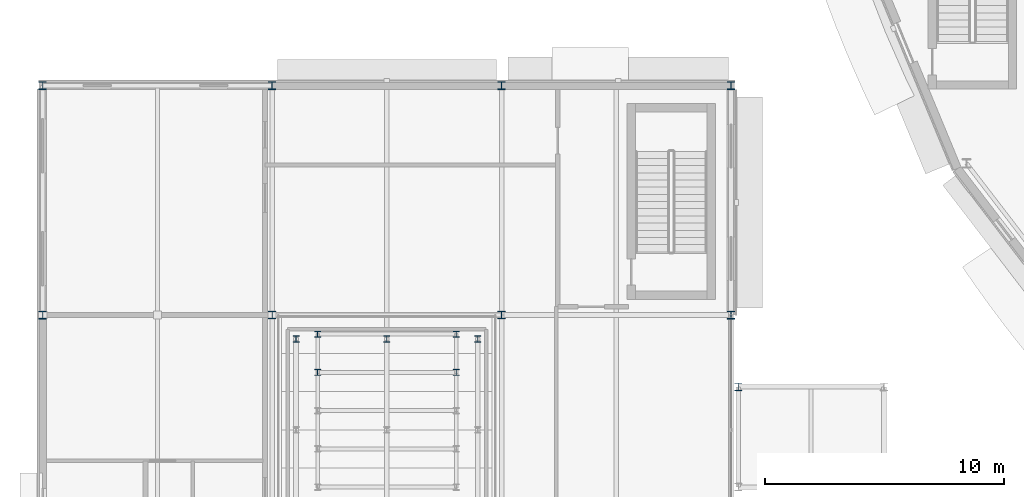
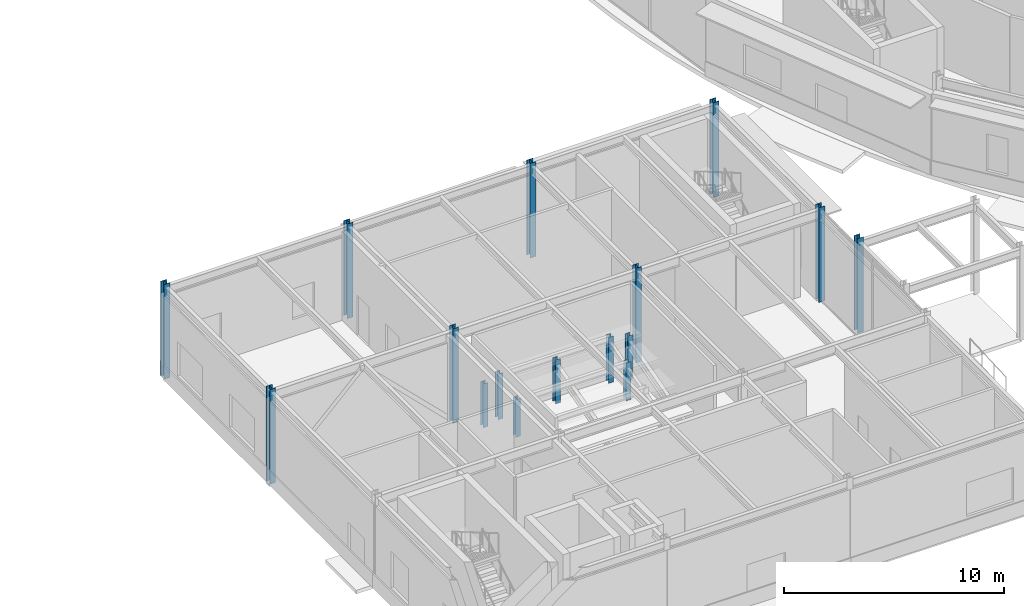
# One storey, part 2 of 168: 16 columns.
"""IFC4 building model written with IfcOpenShell, lengths in metres."""

from ifc_helpers import new_model, si_unit, direction, frame, origin, origin_2d, place, context, subcontext, project, spatial, i_section, extrude, material, material_profile, profile_set, type_object, element, save


model = new_model("IFC4")

# Units and contexts
model_context = context("Model", 3, precision=1e-05, world=origin(), true_north=direction((0.0, 1.0)))
body_context = subcontext(model_context, "Body", "Model", "MODEL_VIEW")
ifc_project = project(units=[si_unit("LENGTHUNIT", "METRE"), si_unit("AREAUNIT", "SQUARE_METRE"), si_unit("VOLUMEUNIT", "CUBIC_METRE"), si_unit("PLANEANGLEUNIT", "RADIAN"), si_unit("MASSUNIT", "GRAM", prefix="KILO")], contexts=[model_context])

# Site, building, storey
site_placement = place(None, origin())
site = spatial("IfcSite", under=ifc_project, at=site_placement, CompositionType="ELEMENT")
building_placement = place(site_placement, origin())
building = spatial("IfcBuilding", under=site, at=building_placement, Name="Almandine Court Research Institute", CompositionType="ELEMENT")
storey_placement = place(building_placement, origin())
storey = spatial("IfcBuildingStorey", under=building, at=storey_placement, Name="L00", CompositionType="ELEMENT", Elevation=0.0)

# Columns
ifc_material = material(Name="Steel ASTM A992 Grade 50", Category="steel")
ifc_material_profile_1 = material_profile(ifc_material, i_section(OverallWidth=0.31005859375, OverallDepth=0.326904296875, WebThickness=0.01611328125, FlangeThickness=0.02490234375, at=origin_2d()), Name="W310x158")
ifc_profile_set_1 = profile_set([ifc_material_profile_1], Name="Steel ASTM A992 Grade 50")
column_type_1 = type_object("IfcColumnType", Name="Col-C-W06-E", PredefinedType="COLUMN", material=ifc_profile_set_1)
for number, where, z_axis, x_axis, name in (
    (1, (6.0, 25.199951171875, 0.0), (0.0, 0.0, 1.0), (1.0, 0.0, 0.0), "L00 V1 Column V1-X1Y3"),
    (2, (6.0, 34.800048828125, 0.0), (0.0, 0.0, 1.0), (1.0, 0.0, 0.0), "L00 V1 Column V1-X1Y4"),
    (3, (15.60009765625, 34.800048828125, 0.0), (0.0, 0.0, 1.0), (1.0, 0.0, 0.0), "L00 V1 Column V1-X2Y4"),
    (4, (25.199951171875, 34.800048828125, 0.0), (0.0, 0.0, 1.0), (1.0, 0.0, 0.0), "L00 V1 Column V1-X3Y4"),
    (5, (34.800048828125, 25.199951171875, 0.0), (0.0, 0.0, 1.0), (1.0, 0.0, 0.0), "L00 V1 Column V1-X4Y3"),
    (6, (34.800048828125, 34.800048828125, 0.0), (0.0, 0.0, 1.0), (1.0, 0.0, 0.0), "L00 V1 Column V1-X4Y4"),
):
    element("IfcColumn", number, at=place(storey_placement, frame(where, z_axis=z_axis, x_axis=x_axis)), inside=storey, type_object=column_type_1, Name=name, PredefinedType="COLUMN", context=body_context, shape_type="SweptSolid", body=[
        extrude(i_section(OverallWidth=0.31005859375, OverallDepth=0.326904296875, WebThickness=0.01611328125, FlangeThickness=0.02490234375, at=origin_2d()), origin(), (0.0, 0.0, 1.0), 5.25),
    ])
ifc_material_profile_2 = material_profile(ifc_material, i_section(OverallWidth=0.305908203125, OverallDepth=0.31103515625, WebThickness=0.010986328125, FlangeThickness=0.01708984375, at=origin_2d()), Name="W310x107")
ifc_profile_set_2 = profile_set([ifc_material_profile_2], Name="Steel ASTM A992 Grade 50")
column_type_2 = type_object("IfcColumnType", Name="Col-C-W08", PredefinedType="COLUMN", material=ifc_profile_set_2)
for number, where, z_axis, x_axis, name in (
    (7, (15.60009765625, 25.199951171875, 0.0), (0.0, 0.0, 1.0), (1.0, 0.0, 0.0), "L00 V1 Column V1-X2Y3"),
    (8, (25.199951171875, 25.199951171875, 0.0), (0.0, 0.0, 1.0), (1.0, 0.0, 0.0), "L00 V1 Column V1-X3Y3"),
):
    element("IfcColumn", number, at=place(storey_placement, frame(where, z_axis=z_axis, x_axis=x_axis)), inside=storey, type_object=column_type_2, Name=name, PredefinedType="COLUMN", context=body_context, shape_type="SweptSolid", body=[
        extrude(i_section(OverallWidth=0.305908203125, OverallDepth=0.31103515625, WebThickness=0.010986328125, FlangeThickness=0.01708984375, at=origin_2d()), origin(), (0.0, 0.0, 1.0), 5.25),
    ])
ifc_material_profile_3 = material_profile(ifc_material, i_section(OverallWidth=0.305908203125, OverallDepth=0.31103515625, WebThickness=0.010986328125, FlangeThickness=0.01708984375, at=origin_2d()), Name="W310x107")
ifc_profile_set_3 = profile_set([ifc_material_profile_3], Name="Steel ASTM A992 Grade 50")
column_type_3 = type_object("IfcColumnType", Name="Col-C-W08-E", PredefinedType="COLUMN", material=ifc_profile_set_3)
column_placement = place(storey_placement, frame((35.10009765625, 22.199951171875, 0.0), z_axis=(0.0, 0.0, 1.0), x_axis=(1.0, 0.0, 0.0)))
element("IfcColumn", 9, at=column_placement, inside=storey, type_object=column_type_3, Name="L00 DAL-SW Column DAL-SW-X1Y2", PredefinedType="COLUMN", context=body_context, shape_type="SweptSolid", body=[
    extrude(i_section(OverallWidth=0.305908203125, OverallDepth=0.31103515625, WebThickness=0.010986328125, FlangeThickness=0.01708984375, at=origin_2d()), origin(), (0.0, 0.0, 1.0), 5.25),
])
ifc_material_profile_4 = material_profile(ifc_material, i_section(OverallWidth=0.25390625, OverallDepth=0.2529296875, WebThickness=0.009033203125, FlangeThickness=0.013916015625, at=origin_2d()), Name="W250x73")
ifc_profile_set_4 = profile_set([ifc_material_profile_4], Name="Steel ASTM A992 Grade 50")
column_type_4 = type_object("IfcColumnType", Name="Col-C-W10", PredefinedType="COLUMN", material=ifc_profile_set_4)
for number, where, z_axis, x_axis, name in (
    (10, (16.60009765625, 24.199951171875, 0.0), (0.0, 0.0, 1.0), (1.0, 0.0, 0.0), "L00 V1 Column V1RK1C"),
    (11, (20.39990234375, 24.199951171875, 0.0), (0.0, 0.0, 1.0), (1.0, 0.0, 0.0), "L00 V1 Column V1RK2C"),
    (12, (24.199951171875, 24.199951171875, 0.0), (0.0, 0.0, 1.0), (1.0, 0.0, 0.0), "L00 V1 Column V1RK3C"),
):
    element("IfcColumn", number, at=place(storey_placement, frame(where, z_axis=z_axis, x_axis=x_axis)), inside=storey, type_object=column_type_4, Name=name, PredefinedType="COLUMN", context=body_context, shape_type="SweptSolid", body=[
        extrude(i_section(OverallWidth=0.25390625, OverallDepth=0.2529296875, WebThickness=0.009033203125, FlangeThickness=0.013916015625, at=origin_2d()), origin(), (0.0, 0.0, 1.0), 2.419921875),
    ])
for number, where, z_axis, x_axis, name in (
    (13, (17.5, 22.800048828125, 0.0), (0.0, 0.0, 1.0), (1.0, 0.0, 0.0), "L00 V1 Column V1TR5W"),
    (14, (23.300048828125, 22.800048828125, 0.0), (0.0, 0.0, 1.0), (1.0, 0.0, 0.0), "L00 V1 Column V1TR5E"),
):
    element("IfcColumn", number, at=place(storey_placement, frame(where, z_axis=z_axis, x_axis=x_axis)), inside=storey, type_object=column_type_4, Name=name, PredefinedType="COLUMN", context=body_context, shape_type="SweptSolid", body=[
        extrude(i_section(OverallWidth=0.25390625, OverallDepth=0.2529296875, WebThickness=0.009033203125, FlangeThickness=0.013916015625, at=origin_2d()), origin(), (0.0, 0.0, 1.0), 2.090087890625),
    ])
for number, where, z_axis, x_axis, name in (
    (15, (17.5, 24.39990234375, 0.0), (0.0, 0.0, 1.0), (1.0, 0.0, 0.0), "L00 V1 Column V1TR6W"),
    (16, (23.300048828125, 24.39990234375, 0.0), (0.0, 0.0, 1.0), (1.0, 0.0, 0.0), "L00 V1 Column V1TR6E"),
):
    element("IfcColumn", number, at=place(storey_placement, frame(where, z_axis=z_axis, x_axis=x_axis)), inside=storey, type_object=column_type_4, Name=name, PredefinedType="COLUMN", context=body_context, shape_type="SweptSolid", body=[
        extrude(i_section(OverallWidth=0.25390625, OverallDepth=0.2529296875, WebThickness=0.009033203125, FlangeThickness=0.013916015625, at=origin_2d()), origin(), (0.0, 0.0, 1.0), 2.5400390625),
    ])

save(model, "model.ifc")
